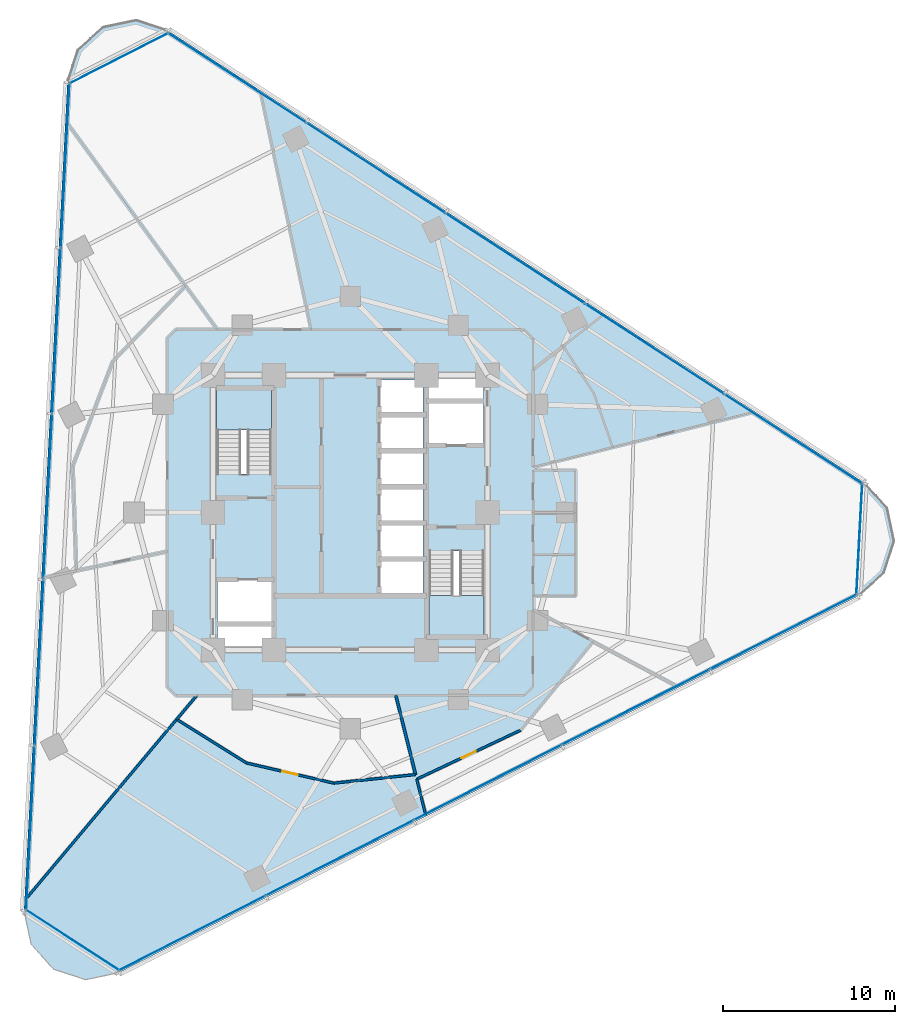
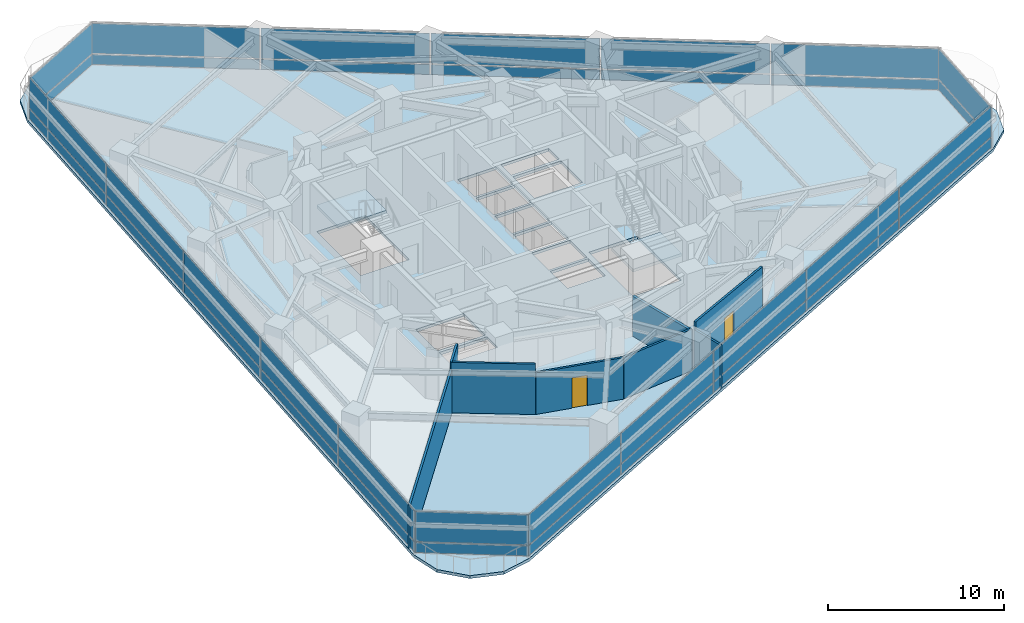
# One storey, part 7 of 14: 36 plates, 8 walls, 3 slabs, 2 doors, 2 openings, 8 elements without a shape of their own.
"""IFC4 building model written with IfcOpenShell, lengths in metres."""

import ifcopenshell
import ifcopenshell.guid

model = None  # the IFC model being written
_history = None  # IfcOwnerHistory: only IFC2X3 demands one
_inside = {}  # id of a spatial element -> (the spatial element, [elements in it])
_under = {}  # id of a project, library or spatial element -> (it, [spatial elements below it])
_declared = {}  # id of a project -> (the project, [libraries it declares])
_typed = {}  # id of a type object -> (the type object, [elements of that type])
_made_of = {}  # id of a material, layer set ... -> (it, [elements and type objects made of it])


def new_model(schema):
    """Start an empty IFC model of exactly this schema.

    Asked for "IFC4X3", IfcOpenShell would pick the latest addendum, in which some entities
    have other attributes; the version numbers below select the first issue.
    IFC2X3 requires an IfcOwnerHistory on every rooted entity: one is made here for all.
    """
    global model, _history
    if schema == "IFC4X3":
        model = ifcopenshell.file(schema_version=(4, 3, 0, 0))
    else:
        model = ifcopenshell.file(schema=schema)
    _inside.clear()
    _under.clear()
    _declared.clear()
    _typed.clear()
    _made_of.clear()
    _history = None
    if model.schema == "IFC2X3":
        org = make("IfcOrganization", Name="unknown")
        user = make(
            "IfcPersonAndOrganization",
            ThePerson=make("IfcPerson", FamilyName="unknown"),
            TheOrganization=org,
        )
        app = make(
            "IfcApplication",
            ApplicationDeveloper=org,
            Version="unknown",
            ApplicationFullName="unknown",
            ApplicationIdentifier="unknown",
        )
        _history = make(
            "IfcOwnerHistory",
            OwningUser=user,
            OwningApplication=app,
            ChangeAction="ADDED",
            CreationDate=0,
        )
    return model


def make(cls, **values):
    """One entity of the class cls with the attributes given. An attribute that is None is left unset."""
    return model.create_entity(
        cls, **{name: value for name, value in values.items() if value is not None}
    )


def rooted(cls, **values):
    """An entity with a GlobalId (a new one), such as an element, a storey or a relation."""
    return make(cls, GlobalId=ifcopenshell.guid.new(), OwnerHistory=_history, **values)


def si_unit(unit_type, name, prefix=None):
    """IfcSIUnit, for example si_unit("LENGTHUNIT", "METRE", prefix="MILLI")."""
    return make("IfcSIUnit", UnitType=unit_type, Prefix=prefix, Name=name)


def assignment(units):
    """IfcUnitAssignment: the units of a project."""
    return None if units is None else make("IfcUnitAssignment", Units=units)


def point(xyz):
    """IfcCartesianPoint."""
    return None if xyz is None else make("IfcCartesianPoint", Coordinates=xyz)


def direction(xyz):
    """IfcDirection."""
    return None if xyz is None else make("IfcDirection", DirectionRatios=xyz)


def frame(location, z_axis=None, x_axis=None):
    """IfcAxis2Placement3D, a coordinate frame: its origin and axes. An axis left out is left unset."""
    return make(
        "IfcAxis2Placement3D",
        Location=point(location),
        Axis=direction(z_axis),
        RefDirection=direction(x_axis),
    )


def frame_2d(location, x_axis=None):
    """IfcAxis2Placement2D, a coordinate frame in the plane: its origin and x axis."""
    return make(
        "IfcAxis2Placement2D", Location=point(location), RefDirection=direction(x_axis)
    )


def origin():
    """The frame at (0, 0, 0) with its axes left unset."""
    return frame((0.0, 0.0, 0.0))


def origin_2d():
    """The frame at (0, 0) in the plane with its x axis left unset."""
    return frame_2d((0.0, 0.0))


def place(relative_to, where):
    """IfcLocalPlacement: puts the frame where relative to a parent placement (None: the world)."""
    return make(
        "IfcLocalPlacement", PlacementRelTo=relative_to, RelativePlacement=where
    )


def context(
    kind, dimensions, precision=None, world=None, true_north=None, identifier=None
):
    """IfcGeometricRepresentationContext, for example the 3D "Model" context."""
    return make(
        "IfcGeometricRepresentationContext",
        ContextIdentifier=identifier,
        ContextType=kind,
        CoordinateSpaceDimension=dimensions,
        Precision=precision,
        WorldCoordinateSystem=world,
        TrueNorth=true_north,
    )


def subcontext(parent, identifier, kind, view, scale=None):
    """IfcGeometricRepresentationSubContext, for example "Body" below "Model"."""
    return make(
        "IfcGeometricRepresentationSubContext",
        ContextIdentifier=identifier,
        ContextType=kind,
        ParentContext=parent,
        TargetScale=scale,
        TargetView=view,
    )


def project(units=None, contexts=None):
    """IfcProject with its units and contexts."""
    return rooted(
        "IfcProject",
        Name="project",
        RepresentationContexts=contexts,
        UnitsInContext=assignment(units),
    )


def spatial(cls, under=None, at=None, **own):
    """A site, building, storey or space (cls), placed at a placement, below another one or the project."""
    s = rooted(cls, ObjectPlacement=at, **own)
    if under is not None:
        _under.setdefault(under.id(), (under, []))[1].append(s)
    return s


def polyline(points):
    """IfcPolyline through the points."""
    return make("IfcPolyline", Points=[point(p) for p in points])


def profile(cls, at=None, kind="AREA", **sizes):
    """A parametric profile (cls). Its sizes go by their IFC names, for example OverallWidth=200.0."""
    return make(cls, ProfileType=kind, Position=at, **sizes)


def rectangle(**sizes):
    """IfcRectangleProfileDef."""
    return profile("IfcRectangleProfileDef", **sizes)


def outline(outer, holes=None, kind="AREA"):
    """IfcArbitraryClosedProfileDef: a profile drawn as a closed curve; with holes, ...WithVoids."""
    if holes is None:
        return make("IfcArbitraryClosedProfileDef", ProfileType=kind, OuterCurve=outer)
    return make(
        "IfcArbitraryProfileDefWithVoids",
        ProfileType=kind,
        OuterCurve=outer,
        InnerCurves=holes,
    )


def extrude(swept, where, along, depth):
    """IfcExtrudedAreaSolid: the profile swept, set in the frame where, extruded along a direction by depth."""
    return make(
        "IfcExtrudedAreaSolid",
        SweptArea=swept,
        Position=where,
        ExtrudedDirection=direction(along),
        Depth=depth,
    )


def shape(context_of_items, identifier, shape_type, items):
    """IfcShapeRepresentation: the items that make up one representation, for example the "Body"."""
    return make(
        "IfcShapeRepresentation",
        ContextOfItems=context_of_items,
        RepresentationIdentifier=identifier,
        RepresentationType=shape_type,
        Items=items,
    )


def material(Name=None, Category=None):
    """IfcMaterial."""
    return make("IfcMaterial", Name=Name, Category=Category)


def layer(
    of_material, thickness, ventilated=None, Name=None, Category=None, Priority=None
):
    """IfcMaterialLayer: one layer of a wall or slab, of a material (None: an air gap)."""
    return make(
        "IfcMaterialLayer",
        Material=of_material,
        LayerThickness=thickness,
        IsVentilated=ventilated,
        Name=Name,
        Category=Category,
        Priority=Priority,
    )


def layer_set(layers, Name=None):
    """IfcMaterialLayerSet."""
    return make("IfcMaterialLayerSet", MaterialLayers=layers, LayerSetName=Name)


def made_of(thing, what):
    """Note that an element or type object is made of a material, layer set ...; save() writes the relation."""
    if what is not None:
        _made_of.setdefault(what.id(), (what, []))[1].append(thing)
    return thing


def type_object(cls, material=None, **own):
    """A type object (cls), such as IfcWallType, which elements share."""
    return made_of(rooted(cls, **own), material)


def element(
    cls,
    number,
    at=None,
    inside=None,
    cuts=None,
    type_object=None,
    material=None,
    context=None,
    identifier="Body",
    shape_type=None,
    held_by="IfcProductDefinitionShape",
    body=None,
    shapes=None,
    **own,
):
    """One element of the class cls, such as IfcWall. Its Tag is "e" and its number.

    at: its placement. inside: the storey or other place that contains it. cuts: it is an
    opening in that element (IfcRelVoidsElement). A single representation is given by context,
    identifier, shape_type and body (its items); several are given by shapes. held_by: the class
    of the entity that holds the representations. save() writes the other relations.
    """
    e = rooted(cls, Tag="e%d" % number, ObjectPlacement=at, **own)
    if body is not None:
        shapes = [shape(context, identifier, shape_type, body)]
    if shapes is not None:
        e.Representation = make(held_by, Representations=shapes)
    if inside is not None:
        _inside.setdefault(inside.id(), (inside, []))[1].append(e)
    if cuts is not None:
        rooted(
            "IfcRelVoidsElement", RelatingBuildingElement=cuts, RelatedOpeningElement=e
        )
    if type_object is not None:
        _typed.setdefault(type_object.id(), (type_object, []))[1].append(e)
    return made_of(e, material)


def fill(opening, filler):
    """IfcRelFillsElement: the door or window that sits in an opening."""
    return rooted(
        "IfcRelFillsElement",
        RelatingOpeningElement=opening,
        RelatedBuildingElement=filler,
    )


def aggregate(whole, parts):
    """IfcRelAggregates: a whole, such as a stair, and the parts it consists of."""
    return rooted("IfcRelAggregates", RelatingObject=whole, RelatedObjects=parts)


def save(model, path):
    """Write the relations noted so far, then the file.

    IfcRelAggregates (storeys below a building ...), IfcRelContainedInSpatialStructure (elements
    in a storey), IfcRelDefinesByType, IfcRelAssociatesMaterial and IfcRelDeclares: one each for
    every whole, place, type object, material and project.
    """
    for whole, parts in _under.values():
        aggregate(whole, parts)
    for where, things in _inside.values():
        rooted(
            "IfcRelContainedInSpatialStructure",
            RelatedElements=things,
            RelatingStructure=where,
        )
    for kind, things in _typed.values():
        rooted("IfcRelDefinesByType", RelatedObjects=things, RelatingType=kind)
    for what, things in _made_of.values():
        rooted("IfcRelAssociatesMaterial", RelatedObjects=things, RelatingMaterial=what)
    for by, libraries in _declared.values():
        rooted("IfcRelDeclares", RelatingContext=by, RelatedDefinitions=libraries)
    model.write(path)


model = new_model("IFC4")

# Units and contexts
model_context = context("Model", 3, precision=1e-05, world=origin(), true_north=direction((0.0, 1.0)))
body_context = subcontext(model_context, "Body", "Model", "MODEL_VIEW")
ifc_project = project(units=[si_unit("LENGTHUNIT", "METRE"), si_unit("AREAUNIT", "SQUARE_METRE"), si_unit("VOLUMEUNIT", "CUBIC_METRE"), si_unit("PLANEANGLEUNIT", "RADIAN"), si_unit("MASSUNIT", "GRAM", prefix="KILO")], contexts=[model_context])

# Site, building, storey
site_placement = place(None, origin())
site = spatial("IfcSite", under=ifc_project, at=site_placement, CompositionType="ELEMENT")
building_placement = place(site_placement, origin())
building = spatial("IfcBuilding", under=site, at=building_placement, Name="Terralouvre Media Tower", CompositionType="ELEMENT")
storey_placement = place(building_placement, frame((0.0, 0.0, 123.60009765625)))
storey = spatial("IfcBuildingStorey", under=building, at=storey_placement, Name="L31", CompositionType="ELEMENT", Elevation=123.60009765625)

# Slab
ifc_material_1 = material(Name="Concrete C40/50", Category="concrete")
ifc_layer_1 = layer(ifc_material_1, 0.199951171875, Name="Composite Tower Floor Slab S-TYP200")
ifc_layer_set_1 = layer_set([ifc_layer_1], Name="Concrete C40/50")
slab_type_1 = type_object("IfcSlabType", Name="Composite Tower Floor Slab S-TYP200", PredefinedType="FLOOR", material=ifc_layer_set_1)
slab_1_placement = place(storey_placement, frame((0.0, 0.0, -0.2001953125), z_axis=(0.0, 0.0, 1.0), x_axis=(0.891006524188, 0.45399049974, 0.0)))
element("IfcSlab", 1, at=slab_1_placement, inside=storey, type_object=slab_type_1, Name="L31 Structural Floor Slab", PredefinedType="FLOOR", context=body_context, shape_type="SweptSolid", body=[
    extrude(outline(polyline([(-27.490966796875, -12.07177734375), (-28.0, -13.971923828125), (-27.490966796875, -15.871826171875), (-26.10009765625, -17.2626953125), (-24.199951171875, -17.77197265625), (24.199951171875, -17.77197265625), (26.10009765625, -17.2626953125), (27.490966796875, -15.871826171875), (28.0, -13.971923828125), (27.490966796875, -12.07177734375), (3.291015625, 29.84375), (1.89990234375, 31.234619140625), (0.0, 31.74365234375), (-1.89990234375, 31.234619140625), (-3.291015625, 29.84375), (-27.490966796875, -12.07177734375)]), holes=[polyline([(-7.094970703125, -3.792236328125), (-7.6396484375, -4.861572265625), (-10.446533203125, -3.431396484375), (-9.901611328125, -2.3623046875), (-7.094970703125, -3.792236328125)]), polyline([(-7.004150390625, -3.614013671875), (-9.810791015625, -2.18408203125), (-8.698486328125, -0.0009765625), (-5.891845703125, -1.43115234375), (-7.004150390625, -3.614013671875)]), polyline([(4.504150390625, -0.521728515625), (2.276611328125, 0.61328125), (3.1572265625, 2.341796875), (5.384765625, 1.206787109375), (4.504150390625, -0.521728515625)]), polyline([(6.338134765625, 3.077880859375), (5.45751953125, 1.349365234375), (3.22998046875, 2.484375), (4.110595703125, 4.212890625), (6.338134765625, 3.077880859375)]), polyline([(-3.079345703125, 4.088623046875), (-5.912841796875, 5.532470703125), (-3.635986328125, 10.000732421875), (-0.802734375, 8.55712890625), (-3.079345703125, 4.088623046875)]), polyline([(6.410888671875, 3.220458984375), (4.183349609375, 4.35546875), (5.06396484375, 6.083984375), (7.29150390625, 4.94921875), (6.410888671875, 3.220458984375)]), polyline([(0.802734375, -8.55712890625), (3.079345703125, -4.088623046875), (5.912841796875, -5.532470703125), (3.635986328125, -10.000732421875), (0.802734375, -8.55712890625)]), polyline([(1.64404296875, -6.135009765625), (-0.58349609375, -5.0), (0.297119140625, -3.271484375), (2.524658203125, -4.406494140625), (1.64404296875, -6.135009765625)]), polyline([(2.597412109375, -4.263916015625), (0.369873046875, -3.12890625), (1.25048828125, -1.400390625), (3.47802734375, -2.535400390625), (2.597412109375, -4.263916015625)]), polyline([(4.431396484375, -0.664306640625), (3.55078125, -2.392822265625), (1.3232421875, -1.2578125), (2.203857421875, 0.470703125), (4.431396484375, -0.664306640625)]), polyline([(8.698486328125, 0.0009765625), (5.891845703125, 1.43115234375), (7.004150390625, 3.614013671875), (9.810791015625, 2.18408203125), (8.698486328125, 0.0009765625)]), polyline([(9.901611328125, 2.3623046875), (7.094970703125, 3.792236328125), (7.6396484375, 4.861572265625), (10.446533203125, 3.431396484375), (9.901611328125, 2.3623046875)])]), origin(), (0.0, 0.0, 1.0), 0.2001953125),
])

# Stair, slab
ifc_material_2 = material(Name="Concrete C45/55", Category="concrete")
stair_type_1 = type_object("IfcStairType", Name="Dogleg Stair Assembly ST-01", PredefinedType="HALF_TURN_STAIR", material=ifc_material_2)
stair_1_placement = place(storey_placement, origin())
stair_1 = element("IfcStair", 2, at=stair_1_placement, inside=storey, type_object=stair_type_1, Name="L31 Core Pressurised Exit Stair ST-01", PredefinedType="HALF_TURN_STAIR")
ifc_material_3 = material(Name="Concrete C45/55", Category="concrete")
ifc_layer_2 = layer(ifc_material_3, 0.199951171875, Name="Reinforced Concrete Stair Half-Landing SL-LD1")
ifc_layer_set_2 = layer_set([ifc_layer_2], Name="Concrete C45/55")
slab_type_2 = type_object("IfcSlabType", Name="Reinforced Concrete Stair Half-Landing SL-LD1", PredefinedType="LANDING", material=ifc_layer_set_2)
slab_2_placement = place(storey_placement, frame((0.0, 0.0, 1.64990234375)))
slab_2 = element("IfcSlab", 3, at=slab_2_placement, type_object=slab_type_2, Name="ST-01 landing 1", PredefinedType="LANDING", context=body_context, shape_type="SweptSolid", body=[
    extrude(outline(polyline([(-4.60009765625, 4.820068359375), (-4.60009765625, 7.260009765625), (-7.780029296875, 7.260009765625), (-7.780029296875, 4.820068359375), (-4.60009765625, 4.820068359375)])), origin(), (0.0, 0.0, 1.0), 0.199951171875),
])
aggregate(stair_1, [slab_2])

ifc_material_4 = material(Name="Concrete C45/55", Category="concrete")
stair_type_2 = type_object("IfcStairType", Name="Dogleg Stair Assembly ST-02", PredefinedType="HALF_TURN_STAIR", material=ifc_material_4)
stair_2_placement = place(storey_placement, origin())
stair_2 = element("IfcStair", 4, at=stair_2_placement, inside=storey, type_object=stair_type_2, Name="L31 Core Pressurised Exit Stair ST-02", PredefinedType="HALF_TURN_STAIR")
slab_3_placement = place(storey_placement, frame((0.0, 0.0, 1.64990234375)))
slab_3 = element("IfcSlab", 5, at=slab_3_placement, type_object=slab_type_2, Name="ST-02 landing 1", PredefinedType="LANDING", context=body_context, shape_type="SweptSolid", body=[
    extrude(outline(polyline([(4.60009765625, -4.820068359375), (4.60009765625, -7.260009765625), (7.780029296875, -7.260009765625), (7.780029296875, -4.820068359375), (4.60009765625, -4.820068359375)])), origin(), (0.0, 0.0, 1.0), 0.199951171875),
])
aggregate(stair_2, [slab_3])

# Curtain wall, plates
ifc_material_5 = material(Name="Low-iron laminated double glazing with solar-control coating", Category="glass")
ifc_layer_3 = layer(ifc_material_5, 0.1650390625, Name="Rounded Wind-Corner Curved Glazing CW-04")
ifc_layer_set_3 = layer_set([ifc_layer_3], Name="Low-iron laminated double glazing with solar-control coating")
curtain_wall_type_1 = type_object("IfcCurtainWallType", Name="Rounded Wind-Corner Curved Glazing CW-04", PredefinedType="NOTDEFINED", material=ifc_layer_set_3)
curtain_wall_1_placement = place(storey_placement, origin())
curtain_wall_1 = element("IfcCurtainWall", 6, at=curtain_wall_1_placement, inside=storey, type_object=curtain_wall_type_1, Name="L31 Rounded Wind-Corner Curtain Wall C0", PredefinedType="NOTDEFINED")
ifc_material_6 = material(Name="Low-iron laminated double glazing with solar-control coating", Category="glass")
ifc_layer_4 = layer(ifc_material_6, 0.0400390625, Name="Rounded Corner Laminated Vision Panel CWP-03")
ifc_layer_set_4 = layer_set([ifc_layer_4], Name="Low-iron laminated double glazing with solar-control coating")
plate_type_1 = type_object("IfcPlateType", Name="Rounded Corner Laminated Vision Panel CWP-03", PredefinedType="CURTAIN_PANEL", material=ifc_layer_set_4)
plate_1_placement = place(storey_placement, frame((-16.177734375, -24.91162109375, 0.074951171875), z_axis=(0.0, 0.0, 1.0), x_axis=(0.838670390568, -0.544639308152, 0.0)))
plate_1 = element("IfcPlate", 7, at=plate_1_placement, type_object=plate_type_1, Name="CW-04 panel 1.1", PredefinedType="CURTAIN_PANEL", context=body_context, shape_type="SweptSolid", body=[
    extrude(rectangle(XDim=6.431884765625, YDim=0.035888671875, at=origin_2d()), origin(), (0.0, 0.0, 1.0), 0.6875),
])
plate_2_placement = place(storey_placement, frame((-16.177734375, -24.91162109375, 0.83740234375), z_axis=(0.0, 0.0, 1.0), x_axis=(0.838670390568, -0.544639308152, 0.0)))
plate_2 = element("IfcPlate", 8, at=plate_2_placement, type_object=plate_type_1, Name="CW-04 panel 1.2", PredefinedType="CURTAIN_PANEL", context=body_context, shape_type="SweptSolid", body=[
    extrude(rectangle(XDim=6.431884765625, YDim=0.035888671875, at=origin_2d()), origin(), (0.0, 0.0, 1.0), 2.08740234375),
])
aggregate(curtain_wall_1, [plate_1, plate_2])

curtain_wall_2_placement = place(storey_placement, origin())
curtain_wall_2 = element("IfcCurtainWall", 9, at=curtain_wall_2_placement, inside=storey, type_object=curtain_wall_type_1, Name="L31 Rounded Wind-Corner Curtain Wall C1", PredefinedType="NOTDEFINED")
plate_3_placement = place(storey_placement, frame((29.6630859375, -1.5546875, 0.074951171875), z_axis=(0.0, 0.0, 1.0), x_axis=(0.052336823006, 0.998629489329, 0.0)))
plate_3 = element("IfcPlate", 10, at=plate_3_placement, type_object=plate_type_1, Name="CW-04 panel 1.1", PredefinedType="CURTAIN_PANEL", context=body_context, shape_type="SweptSolid", body=[
    extrude(rectangle(XDim=6.431884765625, YDim=0.035888671875, at=origin_2d()), origin(), (0.0, 0.0, 1.0), 0.6875),
])
plate_4_placement = place(storey_placement, frame((29.6630859375, -1.5546875, 0.83740234375), z_axis=(0.0, 0.0, 1.0), x_axis=(0.052336823006, 0.998629489329, 0.0)))
plate_4 = element("IfcPlate", 11, at=plate_4_placement, type_object=plate_type_1, Name="CW-04 panel 1.2", PredefinedType="CURTAIN_PANEL", context=body_context, shape_type="SweptSolid", body=[
    extrude(rectangle(XDim=6.431884765625, YDim=0.035888671875, at=origin_2d()), origin(), (0.0, 0.0, 1.0), 2.08740234375),
])
aggregate(curtain_wall_2, [plate_3, plate_4])

curtain_wall_3_placement = place(storey_placement, origin())
curtain_wall_3 = element("IfcCurtainWall", 12, at=curtain_wall_3_placement, inside=storey, type_object=curtain_wall_type_1, Name="L31 Rounded Wind-Corner Curtain Wall C2", PredefinedType="NOTDEFINED")
plate_5_placement = place(storey_placement, frame((-13.485107421875, 26.46630859375, 0.074951171875), z_axis=(0.0, 0.0, 1.0), x_axis=(-0.891006600184, -0.45399035059, 0.0)))
plate_5 = element("IfcPlate", 13, at=plate_5_placement, type_object=plate_type_1, Name="CW-04 panel 1.1", PredefinedType="CURTAIN_PANEL", context=body_context, shape_type="SweptSolid", body=[
    extrude(rectangle(XDim=6.431884765625, YDim=0.035888671875, at=origin_2d()), origin(), (0.0, 0.0, 1.0), 0.6875),
])
plate_6_placement = place(storey_placement, frame((-13.485107421875, 26.46630859375, 0.83740234375), z_axis=(0.0, 0.0, 1.0), x_axis=(-0.891006600184, -0.45399035059, 0.0)))
plate_6 = element("IfcPlate", 14, at=plate_6_placement, type_object=plate_type_1, Name="CW-04 panel 1.2", PredefinedType="CURTAIN_PANEL", context=body_context, shape_type="SweptSolid", body=[
    extrude(rectangle(XDim=6.431884765625, YDim=0.035888671875, at=origin_2d()), origin(), (0.0, 0.0, 1.0), 2.08740234375),
])
aggregate(curtain_wall_3, [plate_5, plate_6])

ifc_material_7 = material(Name="Low-iron laminated double glazing with solar-control coating", Category="glass")
ifc_layer_5 = layer(ifc_material_7, 0.1650390625, Name="Production Studio Tower Curtain Wall CW-03")
ifc_layer_set_5 = layer_set([ifc_layer_5], Name="Low-iron laminated double glazing with solar-control coating")
curtain_wall_type_2 = type_object("IfcCurtainWallType", Name="Production Studio Tower Curtain Wall CW-03", PredefinedType="NOTDEFINED", material=ifc_layer_set_5)
curtain_wall_4_placement = place(storey_placement, origin())
curtain_wall_4 = element("IfcCurtainWall", 15, at=curtain_wall_4_placement, inside=storey, type_object=curtain_wall_type_2, Name="L31 Facade Curtain Wall F0", PredefinedType="NOTDEFINED")
ifc_material_8 = material(Name="Low-iron laminated double glazing with solar-control coating", Category="glass")
ifc_layer_6 = layer(ifc_material_8, 0.035888671875, Name="Vision Double-Glazed Unit CWP-01")
ifc_layer_set_6 = layer_set([ifc_layer_6], Name="Low-iron laminated double glazing with solar-control coating")
plate_type_2 = type_object("IfcPlateType", Name="Vision Double-Glazed Unit CWP-01", PredefinedType="CURTAIN_PANEL", material=ifc_layer_set_6)
plate_7_placement = place(storey_placement, frame((-9.219482421875, -24.5087890625, 0.074951171875), z_axis=(0.0, 0.0, 1.0), x_axis=(0.891006501178, 0.4539905449, 0.0)))
plate_7 = element("IfcPlate", 16, at=plate_7_placement, type_object=plate_type_2, Name="CW-03 panel 1.1", PredefinedType="CURTAIN_PANEL", context=body_context, shape_type="SweptSolid", body=[
    extrude(rectangle(XDim=9.5673828125, YDim=0.035888671875, at=origin_2d()), origin(), (0.0, 0.0, 1.0), 0.6875),
])
plate_8_placement = place(storey_placement, frame((-9.219482421875, -24.5087890625, 0.83740234375), z_axis=(0.0, 0.0, 1.0), x_axis=(0.891006501178, 0.4539905449, 0.0)))
plate_8 = element("IfcPlate", 17, at=plate_8_placement, type_object=plate_type_2, Name="CW-03 panel 1.2", PredefinedType="CURTAIN_PANEL", context=body_context, shape_type="SweptSolid", body=[
    extrude(rectangle(XDim=9.5673828125, YDim=0.035888671875, at=origin_2d()), origin(), (0.0, 0.0, 1.0), 2.08740234375),
])
plate_9_placement = place(storey_placement, frame((-0.611083984375, -20.12255859375, 0.074951171875), z_axis=(0.0, 0.0, 1.0), x_axis=(0.891006501178, 0.4539905449, 0.0)))
plate_9 = element("IfcPlate", 18, at=plate_9_placement, type_object=plate_type_2, Name="CW-03 panel 2.1", PredefinedType="CURTAIN_PANEL", context=body_context, shape_type="SweptSolid", body=[
    extrude(rectangle(XDim=9.60498046875, YDim=0.035888671875, at=origin_2d()), origin(), (0.0, 0.0, 1.0), 0.6875),
])
plate_10_placement = place(storey_placement, frame((-0.611083984375, -20.12255859375, 0.83740234375), z_axis=(0.0, 0.0, 1.0), x_axis=(0.891006501178, 0.4539905449, 0.0)))
plate_10 = element("IfcPlate", 19, at=plate_10_placement, type_object=plate_type_2, Name="CW-03 panel 2.2", PredefinedType="CURTAIN_PANEL", context=body_context, shape_type="SweptSolid", body=[
    extrude(rectangle(XDim=9.60498046875, YDim=0.035888671875, at=origin_2d()), origin(), (0.0, 0.0, 1.0), 2.08740234375),
])
plate_11_placement = place(storey_placement, frame((8.013671875, -15.72802734375, 0.074951171875), z_axis=(0.0, 0.0, 1.0), x_axis=(0.891006501178, 0.4539905449, 0.0)))
plate_11 = element("IfcPlate", 20, at=plate_11_placement, type_object=plate_type_2, Name="CW-03 panel 3.1", PredefinedType="CURTAIN_PANEL", context=body_context, shape_type="SweptSolid", body=[
    extrude(rectangle(XDim=9.60498046875, YDim=0.035888671875, at=origin_2d()), origin(), (0.0, 0.0, 1.0), 0.6875),
])
plate_12_placement = place(storey_placement, frame((8.013671875, -15.72802734375, 0.83740234375), z_axis=(0.0, 0.0, 1.0), x_axis=(0.891006501178, 0.4539905449, 0.0)))
plate_12 = element("IfcPlate", 21, at=plate_12_placement, type_object=plate_type_2, Name="CW-03 panel 3.2", PredefinedType="CURTAIN_PANEL", context=body_context, shape_type="SweptSolid", body=[
    extrude(rectangle(XDim=9.60498046875, YDim=0.035888671875, at=origin_2d()), origin(), (0.0, 0.0, 1.0), 2.08740234375),
])
plate_13_placement = place(storey_placement, frame((16.638671875, -11.333251953125, 0.074951171875), z_axis=(0.0, 0.0, 1.0), x_axis=(0.891006501178, 0.4539905449, 0.0)))
plate_13 = element("IfcPlate", 22, at=plate_13_placement, type_object=plate_type_2, Name="CW-03 panel 4.1", PredefinedType="CURTAIN_PANEL", context=body_context, shape_type="SweptSolid", body=[
    extrude(rectangle(XDim=9.60498046875, YDim=0.035888671875, at=origin_2d()), origin(), (0.0, 0.0, 1.0), 0.6875),
])
plate_14_placement = place(storey_placement, frame((16.638671875, -11.333251953125, 0.83740234375), z_axis=(0.0, 0.0, 1.0), x_axis=(0.891006501178, 0.4539905449, 0.0)))
plate_14 = element("IfcPlate", 23, at=plate_14_placement, type_object=plate_type_2, Name="CW-03 panel 4.2", PredefinedType="CURTAIN_PANEL", context=body_context, shape_type="SweptSolid", body=[
    extrude(rectangle(XDim=9.60498046875, YDim=0.035888671875, at=origin_2d()), origin(), (0.0, 0.0, 1.0), 2.08740234375),
])
plate_15_placement = place(storey_placement, frame((25.2470703125, -6.947265625, 0.074951171875), z_axis=(0.0, 0.0, 1.0), x_axis=(0.891006501178, 0.4539905449, 0.0)))
plate_15 = element("IfcPlate", 24, at=plate_15_placement, type_object=plate_type_2, Name="CW-03 panel 5.1", PredefinedType="CURTAIN_PANEL", context=body_context, shape_type="SweptSolid", body=[
    extrude(rectangle(XDim=9.5673828125, YDim=0.035888671875, at=origin_2d()), origin(), (0.0, 0.0, 1.0), 0.6875),
])
plate_16_placement = place(storey_placement, frame((25.2470703125, -6.947265625, 0.83740234375), z_axis=(0.0, 0.0, 1.0), x_axis=(0.891006501178, 0.4539905449, 0.0)))
plate_16 = element("IfcPlate", 25, at=plate_16_placement, type_object=plate_type_2, Name="CW-03 panel 5.2", PredefinedType="CURTAIN_PANEL", context=body_context, shape_type="SweptSolid", body=[
    extrude(rectangle(XDim=9.5673828125, YDim=0.035888671875, at=origin_2d()), origin(), (0.0, 0.0, 1.0), 2.08740234375),
])
aggregate(curtain_wall_4, [plate_7, plate_8, plate_9, plate_10, plate_11, plate_12, plate_13, plate_14, plate_15, plate_16])

curtain_wall_5_placement = place(storey_placement, origin())
curtain_wall_5 = element("IfcCurtainWall", 26, at=curtain_wall_5_placement, inside=storey, type_object=curtain_wall_type_2, Name="L31 Facade Curtain Wall F1", PredefinedType="NOTDEFINED")
plate_17_placement = place(storey_placement, frame((25.8349609375, 4.27001953125, 0.074951171875), z_axis=(0.0, 0.0, 1.0), x_axis=(-0.838670588944, 0.544639002681, 0.0)))
plate_17 = element("IfcPlate", 27, at=plate_17_placement, type_object=plate_type_2, Name="CW-03 panel 1.1", PredefinedType="CURTAIN_PANEL", context=body_context, shape_type="SweptSolid", body=[
    extrude(rectangle(XDim=9.5673828125, YDim=0.035888671875, at=origin_2d()), origin(), (0.0, 0.0, 1.0), 0.6875),
])
plate_18_placement = place(storey_placement, frame((25.8349609375, 4.27001953125, 0.83740234375), z_axis=(0.0, 0.0, 1.0), x_axis=(-0.838670588944, 0.544639002681, 0.0)))
plate_18 = element("IfcPlate", 28, at=plate_18_placement, type_object=plate_type_2, Name="CW-03 panel 1.2", PredefinedType="CURTAIN_PANEL", context=body_context, shape_type="SweptSolid", body=[
    extrude(rectangle(XDim=9.5673828125, YDim=0.035888671875, at=origin_2d()), origin(), (0.0, 0.0, 1.0), 2.08740234375),
])
plate_19_placement = place(storey_placement, frame((17.732177734375, 9.531982421875, 0.074951171875), z_axis=(0.0, 0.0, 1.0), x_axis=(-0.838670588944, 0.544639002681, 0.0)))
plate_19 = element("IfcPlate", 29, at=plate_19_placement, type_object=plate_type_2, Name="CW-03 panel 2.1", PredefinedType="CURTAIN_PANEL", context=body_context, shape_type="SweptSolid", body=[
    extrude(rectangle(XDim=9.60498046875, YDim=0.035888671875, at=origin_2d()), origin(), (0.0, 0.0, 1.0), 0.6875),
])
plate_20_placement = place(storey_placement, frame((17.732177734375, 9.531982421875, 0.83740234375), z_axis=(0.0, 0.0, 1.0), x_axis=(-0.838670588944, 0.544639002681, 0.0)))
plate_20 = element("IfcPlate", 30, at=plate_20_placement, type_object=plate_type_2, Name="CW-03 panel 2.2", PredefinedType="CURTAIN_PANEL", context=body_context, shape_type="SweptSolid", body=[
    extrude(rectangle(XDim=9.60498046875, YDim=0.035888671875, at=origin_2d()), origin(), (0.0, 0.0, 1.0), 2.08740234375),
])
plate_21_placement = place(storey_placement, frame((9.614013671875, 14.80419921875, 0.074951171875), z_axis=(0.0, 0.0, 1.0), x_axis=(-0.838670588944, 0.544639002681, 0.0)))
plate_21 = element("IfcPlate", 31, at=plate_21_placement, type_object=plate_type_2, Name="CW-03 panel 3.1", PredefinedType="CURTAIN_PANEL", context=body_context, shape_type="SweptSolid", body=[
    extrude(rectangle(XDim=9.60498046875, YDim=0.035888671875, at=origin_2d()), origin(), (0.0, 0.0, 1.0), 0.6875),
])
plate_22_placement = place(storey_placement, frame((9.614013671875, 14.80419921875, 0.83740234375), z_axis=(0.0, 0.0, 1.0), x_axis=(-0.838670588944, 0.544639002681, 0.0)))
plate_22 = element("IfcPlate", 32, at=plate_22_placement, type_object=plate_type_2, Name="CW-03 panel 3.2", PredefinedType="CURTAIN_PANEL", context=body_context, shape_type="SweptSolid", body=[
    extrude(rectangle(XDim=9.60498046875, YDim=0.035888671875, at=origin_2d()), origin(), (0.0, 0.0, 1.0), 2.08740234375),
])
plate_23_placement = place(storey_placement, frame((1.49560546875, 20.076171875, 0.074951171875), z_axis=(0.0, 0.0, 1.0), x_axis=(-0.838670588944, 0.544639002681, 0.0)))
plate_23 = element("IfcPlate", 33, at=plate_23_placement, type_object=plate_type_2, Name="CW-03 panel 4.1", PredefinedType="CURTAIN_PANEL", context=body_context, shape_type="SweptSolid", body=[
    extrude(rectangle(XDim=9.60498046875, YDim=0.035888671875, at=origin_2d()), origin(), (0.0, 0.0, 1.0), 0.6875),
])
plate_24_placement = place(storey_placement, frame((1.49560546875, 20.076171875, 0.83740234375), z_axis=(0.0, 0.0, 1.0), x_axis=(-0.838670588944, 0.544639002681, 0.0)))
plate_24 = element("IfcPlate", 34, at=plate_24_placement, type_object=plate_type_2, Name="CW-03 panel 4.2", PredefinedType="CURTAIN_PANEL", context=body_context, shape_type="SweptSolid", body=[
    extrude(rectangle(XDim=9.60498046875, YDim=0.035888671875, at=origin_2d()), origin(), (0.0, 0.0, 1.0), 2.08740234375),
])
plate_25_placement = place(storey_placement, frame((-6.60693359375, 25.338134765625, 0.074951171875), z_axis=(0.0, 0.0, 1.0), x_axis=(-0.838670588944, 0.544639002681, 0.0)))
plate_25 = element("IfcPlate", 35, at=plate_25_placement, type_object=plate_type_2, Name="CW-03 panel 5.1", PredefinedType="CURTAIN_PANEL", context=body_context, shape_type="SweptSolid", body=[
    extrude(rectangle(XDim=9.5673828125, YDim=0.035888671875, at=origin_2d()), origin(), (0.0, 0.0, 1.0), 0.6875),
])
plate_26_placement = place(storey_placement, frame((-6.60693359375, 25.338134765625, 0.83740234375), z_axis=(0.0, 0.0, 1.0), x_axis=(-0.838670588944, 0.544639002681, 0.0)))
plate_26 = element("IfcPlate", 36, at=plate_26_placement, type_object=plate_type_2, Name="CW-03 panel 5.2", PredefinedType="CURTAIN_PANEL", context=body_context, shape_type="SweptSolid", body=[
    extrude(rectangle(XDim=9.5673828125, YDim=0.035888671875, at=origin_2d()), origin(), (0.0, 0.0, 1.0), 2.08740234375),
])
aggregate(curtain_wall_5, [plate_17, plate_18, plate_19, plate_20, plate_21, plate_22, plate_23, plate_24, plate_25, plate_26])

curtain_wall_6_placement = place(storey_placement, origin())
curtain_wall_6 = element("IfcCurtainWall", 37, at=curtain_wall_6_placement, inside=storey, type_object=curtain_wall_type_2, Name="L31 Facade Curtain Wall F2", PredefinedType="NOTDEFINED")
plate_27_placement = place(storey_placement, frame((-16.615478515625, 20.238525390625, 0.074951171875), z_axis=(0.0, 0.0, 1.0), x_axis=(-0.052335949864, -0.998629535089, 0.0)))
plate_27 = element("IfcPlate", 38, at=plate_27_placement, type_object=plate_type_2, Name="CW-03 panel 1.1", PredefinedType="CURTAIN_PANEL", context=body_context, shape_type="SweptSolid", body=[
    extrude(rectangle(XDim=9.5673828125, YDim=0.035888671875, at=origin_2d()), origin(), (0.0, 0.0, 1.0), 0.6875),
])
plate_28_placement = place(storey_placement, frame((-16.615478515625, 20.238525390625, 0.83740234375), z_axis=(0.0, 0.0, 1.0), x_axis=(-0.052335949864, -0.998629535089, 0.0)))
plate_28 = element("IfcPlate", 39, at=plate_28_placement, type_object=plate_type_2, Name="CW-03 panel 1.2", PredefinedType="CURTAIN_PANEL", context=body_context, shape_type="SweptSolid", body=[
    extrude(rectangle(XDim=9.5673828125, YDim=0.035888671875, at=origin_2d()), origin(), (0.0, 0.0, 1.0), 2.08740234375),
])
plate_29_placement = place(storey_placement, frame((-17.12109375, 10.590576171875, 0.074951171875), z_axis=(0.0, 0.0, 1.0), x_axis=(-0.052335949864, -0.998629535089, 0.0)))
plate_29 = element("IfcPlate", 40, at=plate_29_placement, type_object=plate_type_2, Name="CW-03 panel 2.1", PredefinedType="CURTAIN_PANEL", context=body_context, shape_type="SweptSolid", body=[
    extrude(rectangle(XDim=9.60498046875, YDim=0.035888671875, at=origin_2d()), origin(), (0.0, 0.0, 1.0), 0.6875),
])
plate_30_placement = place(storey_placement, frame((-17.12109375, 10.590576171875, 0.83740234375), z_axis=(0.0, 0.0, 1.0), x_axis=(-0.052335949864, -0.998629535089, 0.0)))
plate_30 = element("IfcPlate", 41, at=plate_30_placement, type_object=plate_type_2, Name="CW-03 panel 2.2", PredefinedType="CURTAIN_PANEL", context=body_context, shape_type="SweptSolid", body=[
    extrude(rectangle(XDim=9.60498046875, YDim=0.035888671875, at=origin_2d()), origin(), (0.0, 0.0, 1.0), 2.08740234375),
])
plate_31_placement = place(storey_placement, frame((-17.627685546875, 0.923828125, 0.074951171875), z_axis=(0.0, 0.0, 1.0), x_axis=(-0.052335949864, -0.998629535089, 0.0)))
plate_31 = element("IfcPlate", 42, at=plate_31_placement, type_object=plate_type_2, Name="CW-03 panel 3.1", PredefinedType="CURTAIN_PANEL", context=body_context, shape_type="SweptSolid", body=[
    extrude(rectangle(XDim=9.60498046875, YDim=0.035888671875, at=origin_2d()), origin(), (0.0, 0.0, 1.0), 0.6875),
])
plate_32_placement = place(storey_placement, frame((-17.627685546875, 0.923828125, 0.83740234375), z_axis=(0.0, 0.0, 1.0), x_axis=(-0.052335949864, -0.998629535089, 0.0)))
plate_32 = element("IfcPlate", 43, at=plate_32_placement, type_object=plate_type_2, Name="CW-03 panel 3.2", PredefinedType="CURTAIN_PANEL", context=body_context, shape_type="SweptSolid", body=[
    extrude(rectangle(XDim=9.60498046875, YDim=0.035888671875, at=origin_2d()), origin(), (0.0, 0.0, 1.0), 2.08740234375),
])
plate_33_placement = place(storey_placement, frame((-18.13427734375, -8.742919921875, 0.074951171875), z_axis=(0.0, 0.0, 1.0), x_axis=(-0.052335949864, -0.998629535089, 0.0)))
plate_33 = element("IfcPlate", 44, at=plate_33_placement, type_object=plate_type_2, Name="CW-03 panel 4.1", PredefinedType="CURTAIN_PANEL", context=body_context, shape_type="SweptSolid", body=[
    extrude(rectangle(XDim=9.60498046875, YDim=0.035888671875, at=origin_2d()), origin(), (0.0, 0.0, 1.0), 0.6875),
])
plate_34_placement = place(storey_placement, frame((-18.13427734375, -8.742919921875, 0.83740234375), z_axis=(0.0, 0.0, 1.0), x_axis=(-0.052335949864, -0.998629535089, 0.0)))
plate_34 = element("IfcPlate", 45, at=plate_34_placement, type_object=plate_type_2, Name="CW-03 panel 4.2", PredefinedType="CURTAIN_PANEL", context=body_context, shape_type="SweptSolid", body=[
    extrude(rectangle(XDim=9.60498046875, YDim=0.035888671875, at=origin_2d()), origin(), (0.0, 0.0, 1.0), 2.08740234375),
])
plate_35_placement = place(storey_placement, frame((-18.639892578125, -18.390869140625, 0.074951171875), z_axis=(0.0, 0.0, 1.0), x_axis=(-0.052335949864, -0.998629535089, 0.0)))
plate_35 = element("IfcPlate", 46, at=plate_35_placement, type_object=plate_type_2, Name="CW-03 panel 5.1", PredefinedType="CURTAIN_PANEL", context=body_context, shape_type="SweptSolid", body=[
    extrude(rectangle(XDim=9.5673828125, YDim=0.035888671875, at=origin_2d()), origin(), (0.0, 0.0, 1.0), 0.6875),
])
plate_36_placement = place(storey_placement, frame((-18.639892578125, -18.390869140625, 0.83740234375), z_axis=(0.0, 0.0, 1.0), x_axis=(-0.052335949864, -0.998629535089, 0.0)))
plate_36 = element("IfcPlate", 47, at=plate_36_placement, type_object=plate_type_2, Name="CW-03 panel 5.2", PredefinedType="CURTAIN_PANEL", context=body_context, shape_type="SweptSolid", body=[
    extrude(rectangle(XDim=9.5673828125, YDim=0.035888671875, at=origin_2d()), origin(), (0.0, 0.0, 1.0), 2.08740234375),
])
aggregate(curtain_wall_6, [plate_27, plate_28, plate_29, plate_30, plate_31, plate_32, plate_33, plate_34, plate_35, plate_36])

# Walls
ifc_material_9 = material(Name="Fire-rated gypsum board drywall partition")
ifc_layer_7 = layer(ifc_material_9, 0.135009765625, Name="Newsroom Acoustic Partition PT-135")
ifc_layer_set_7 = layer_set([ifc_layer_7], Name="Fire-rated gypsum board drywall partition")
wall_type_1 = type_object("IfcWallType", Name="Newsroom Acoustic Partition PT-135", PredefinedType="PARTITIONING", material=ifc_layer_set_7)
wall_1_placement = place(storey_placement, frame((-18.896484375, -22.51953125, 0.0), z_axis=(0.0, 0.0, 1.0), x_axis=(0.642815636807, 0.766020924698, 0.0)))
element("IfcWall", 48, at=wall_1_placement, inside=storey, type_object=wall_type_1, Name="L31 Interior Partition 020", PredefinedType="PARTITIONING", context=body_context, shape_type="SweptSolid", body=[
    extrude(rectangle(XDim=13.660888671875, YDim=0.135009765625, at=frame_2d((6.83056640625, 0.0))), origin(), (0.0, 0.0, 1.0), 2.98486328125),
])
wall_2_placement = place(storey_placement, frame((-10.114990234375, -12.054931640625, 0.0), z_axis=(0.0, 0.0, 1.0), x_axis=(0.64278617419, 0.766045647642, 0.0)))
element("IfcWall", 49, at=wall_2_placement, inside=storey, type_object=wall_type_1, Name="L31 Interior Partition 021", PredefinedType="PARTITIONING", context=body_context, shape_type="SweptSolid", body=[
    extrude(rectangle(XDim=1.834228515625, YDim=0.135009765625, at=frame_2d((0.9169921875, 0.0))), origin(), (0.0, 0.0, 1.0), 3.5),
])
wall_3_placement = place(storey_placement, frame((3.806884765625, -15.26904296875, 0.0), z_axis=(0.0, 0.0, 1.0), x_axis=(-0.994513256503, -0.104610623932, 0.0)))
element("IfcWall", 50, at=wall_3_placement, inside=storey, type_object=wall_type_1, Name="L31 Interior Partition 024", PredefinedType="PARTITIONING", context=body_context, shape_type="SweptSolid", body=[
    extrude(rectangle(XDim=4.79833984375, YDim=0.135009765625, at=frame_2d((2.399169921875, 0.0))), origin(), (0.0, 0.0, 1.0), 2.885009765625),
])

# Wall, opening, door
wall_4_placement = place(storey_placement, frame((-0.965087890625, -15.77099609375, 0.0), z_axis=(0.0, 0.0, 1.0), x_axis=(-0.974324872008, 0.225146716135, 0.0)))
wall_4 = element("IfcWall", 51, at=wall_4_placement, inside=storey, type_object=wall_type_1, Name="L31 Interior Partition 025", PredefinedType="PARTITIONING", context=body_context, shape_type="SweptSolid", body=[
    extrude(rectangle(XDim=5.214599609375, YDim=0.135009765625, at=frame_2d((2.607421875, 0.0))), origin(), (0.0, 0.0, 1.0), 2.885009765625),
])
opening_1_placement = place(wall_4_placement, frame((2.1474609375, 0.0, 0.0)))
opening_1 = element("IfcOpeningElement", 52, at=opening_1_placement, cuts=wall_4, Name="Opening ID-03-92X210", PredefinedType="OPENING", context=body_context, shape_type="SweptSolid", body=[
    extrude(rectangle(XDim=0.919921875, YDim=2.10009765625, at=frame_2d((0.4599609375, 1.050048828125))), frame((0.0, 0.077392578125, 0.0), z_axis=(0.0, -1.0, 0.0), x_axis=(1.0, 0.0, 0.0)), (0.0, 0.0, 1.0), 0.155029296875),
])
ifc_material_10 = material(Name="Engineered hardwood acoustic timber leaf", Category="wood")
door_type = type_object("IfcDoorType", Name="Accessible Restroom and Suite Door ID-03 (920x2100)", OperationType="NOTDEFINED", PredefinedType="DOOR", material=ifc_material_10)
door_1_placement = place(opening_1_placement, origin())
door_1 = element("IfcDoor", 53, at=door_1_placement, inside=storey, type_object=door_type, Name="L31 Trophy and Kit Archive Storage 2 Door", OperationType="SINGLE_SWING_RIGHT", OverallHeight=2.10009765625, OverallWidth=0.919921875, PredefinedType="DOOR", context=body_context, shape_type="SweptSolid", body=[
    extrude(rectangle(XDim=0.919921875, YDim=2.10009765625, at=frame_2d((0.4599609375, 1.050048828125))), frame((0.0, 0.02490234375, 0.0), z_axis=(0.0, -1.0, 0.0), x_axis=(1.0, 0.0, 0.0)), (0.0, 0.0, 1.0), 0.050048828125),
])
fill(opening_1, door_1)

# Walls
wall_5_placement = place(storey_placement, frame((-6.0458984375, -14.596923828125, 0.0), z_axis=(0.0, 0.0, 1.0), x_axis=(-0.848109776096, 0.529820542912, 0.0)))
element("IfcWall", 54, at=wall_5_placement, inside=storey, type_object=wall_type_1, Name="L31 Interior Partition 026", PredefinedType="PARTITIONING", context=body_context, shape_type="SweptSolid", body=[
    extrude(rectangle(XDim=4.7978515625, YDim=0.135009765625, at=frame_2d((2.39892578125, 0.0))), origin(), (0.0, 0.0, 1.0), 3.5),
])
wall_6_placement = place(storey_placement, frame((4.392822265625, -17.617919921875, 0.0), z_axis=(0.0, 0.0, 1.0), x_axis=(-0.242107483306, 0.970249435211, 0.0)))
element("IfcWall", 55, at=wall_6_placement, inside=storey, type_object=wall_type_1, Name="L31 Interior Partition 027", PredefinedType="PARTITIONING", context=body_context, shape_type="SweptSolid", body=[
    extrude(rectangle(XDim=2.14697265625, YDim=0.135009765625, at=frame_2d((1.073486328125, 0.0))), origin(), (0.0, 0.0, 1.0), 2.98486328125),
])

# Wall, opening, door
wall_7_placement = place(storey_placement, frame((3.873046875, -15.534912109375, 0.0), z_axis=(0.0, 0.0, 1.0), x_axis=(0.904472849066, 0.426531200855, 0.0)))
wall_7 = element("IfcWall", 56, at=wall_7_placement, inside=storey, type_object=wall_type_1, Name="L31 Interior Partition 029", PredefinedType="PARTITIONING", context=body_context, shape_type="SweptSolid", body=[
    extrude(rectangle(XDim=6.677001953125, YDim=0.135009765625, at=frame_2d((3.33837890625, 0.0))), origin(), (0.0, 0.0, 1.0), 3.5),
])
opening_2_placement = place(wall_7_placement, frame((2.87841796875, 0.0, 0.0)))
opening_2 = element("IfcOpeningElement", 57, at=opening_2_placement, cuts=wall_7, Name="Opening ID-03-92X210", PredefinedType="OPENING", context=body_context, shape_type="SweptSolid", body=[
    extrude(rectangle(XDim=0.919921875, YDim=2.10009765625, at=frame_2d((0.4599609375, 1.050048828125))), frame((0.0, 0.077392578125, 0.0), z_axis=(0.0, -1.0, 0.0), x_axis=(1.0, 0.0, 0.0)), (0.0, 0.0, 1.0), 0.155029296875),
])
door_2_placement = place(opening_2_placement, origin())
door_2 = element("IfcDoor", 58, at=door_2_placement, inside=storey, type_object=door_type, Name="L31 Tournament Highlights Cinema 5 Door", OperationType="SINGLE_SWING_LEFT", OverallHeight=2.10009765625, OverallWidth=0.919921875, PredefinedType="DOOR", context=body_context, shape_type="SweptSolid", body=[
    extrude(rectangle(XDim=0.919921875, YDim=2.10009765625, at=frame_2d((0.4599609375, 1.050048828125))), frame((0.0, 0.02490234375, 0.0), z_axis=(0.0, -1.0, 0.0), x_axis=(1.0, 0.0, 0.0)), (0.0, 0.0, 1.0), 0.050048828125),
])
fill(opening_2, door_2)

# Wall
ifc_material_11 = material(Name="Fire-rated gypsum board drywall partition")
ifc_layer_8 = layer(ifc_material_11, 0.159912109375, Name="Studio Acoustic Rated Partition PT-160")
ifc_layer_set_8 = layer_set([ifc_layer_8], Name="Fire-rated gypsum board drywall partition")
wall_type_2 = type_object("IfcWallType", Name="Studio Acoustic Rated Partition PT-160", PredefinedType="PARTITIONING", material=ifc_layer_set_8)
wall_8_placement = place(storey_placement, frame((3.806884765625, -15.26904296875, 0.0), z_axis=(0.0, 0.0, 1.0), x_axis=(-0.241956377954, 0.970287128209, 0.0)))
element("IfcWall", 59, at=wall_8_placement, inside=storey, type_object=wall_type_2, Name="L31 Interior Partition 028", PredefinedType="PARTITIONING", context=body_context, shape_type="SweptSolid", body=[
    extrude(rectangle(XDim=4.760498046875, YDim=0.159912109375, at=frame_2d((2.38037109375, 0.0))), origin(), (0.0, 0.0, 1.0), 2.784912109375),
])

save(model, "model.ifc")
